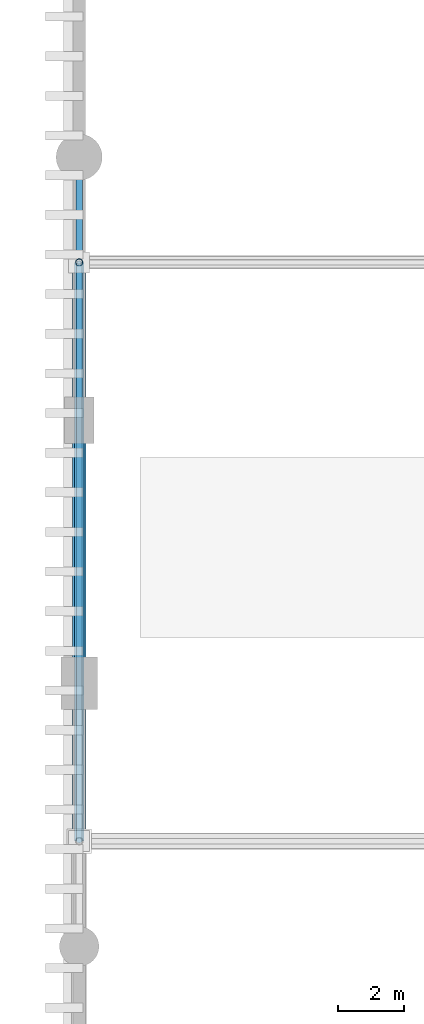
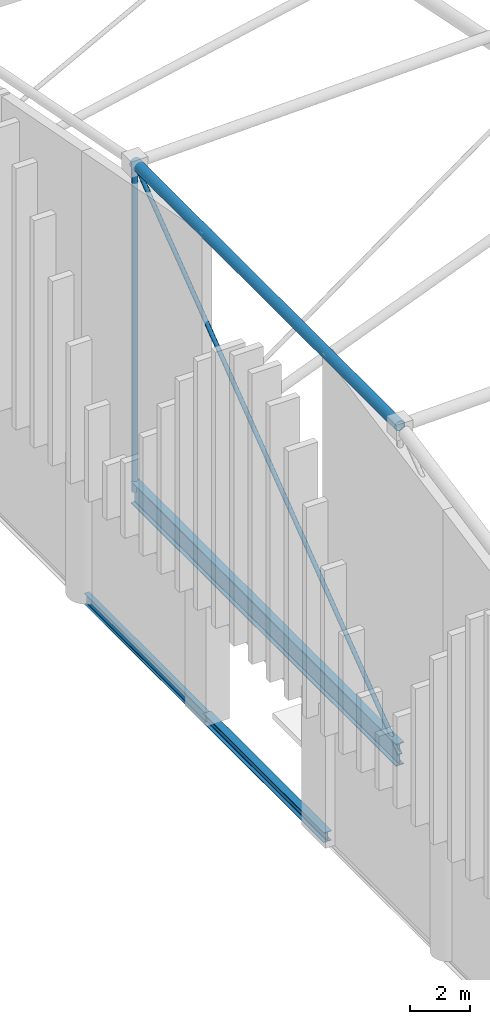
# One storey, part 55 of 193: 3 beams, 3 members.
"""IFC4 building model written with IfcOpenShell, lengths in metres."""

from ifc_helpers import new_model, si_unit, direction, frame, origin, origin_2d, place, context, subcontext, project, spatial, hollow_circle, i_section, extrude, material, material_profile, profile_set, type_object, element, save


model = new_model("IFC4")

# Units and contexts
model_context = context("Model", 3, precision=1e-05, world=origin(), true_north=direction((0.0, 1.0)))
body_context = subcontext(model_context, "Body", "Model", "MODEL_VIEW")
ifc_project = project(units=[si_unit("LENGTHUNIT", "METRE"), si_unit("AREAUNIT", "SQUARE_METRE"), si_unit("VOLUMEUNIT", "CUBIC_METRE"), si_unit("PLANEANGLEUNIT", "RADIAN"), si_unit("MASSUNIT", "GRAM", prefix="KILO")], contexts=[model_context])

# Site, building, storey
site_placement = place(None, origin())
site = spatial("IfcSite", under=ifc_project, at=site_placement, CompositionType="ELEMENT")
building_placement = place(site_placement, origin())
building = spatial("IfcBuilding", under=site, at=building_placement, Name="Danafjord Basin Convention Centre", CompositionType="ELEMENT")
storey_placement = place(building_placement, frame((0.0, 0.0, 11.39990234375)))
storey = spatial("IfcBuildingStorey", under=building, at=storey_placement, Name="L02", CompositionType="ELEMENT", Elevation=11.39990234375)

# Beams
ifc_material = material(Name="Steel S355", Category="steel")
ifc_material_profile_1 = material_profile(ifc_material, i_section(OverallWidth=0.300048828125, OverallDepth=0.89990234375, WebThickness=0.0185546875, FlangeThickness=0.034912109375, FilletRadius=0.030029296875, at=origin_2d()), Name="HEB 900")
ifc_profile_set_1 = profile_set([ifc_material_profile_1], Name="Steel S355")
beam_type_1 = type_object("IfcBeamType", Name="BEAM-BM-HEB900", PredefinedType="BEAM", material=ifc_profile_set_1)
beam_1_placement = place(storey_placement, frame((0.0, 91.199951171875, 6.050048828125), z_axis=(0.0, 1.0, 0.0), x_axis=(-1.0, 0.0, 0.0)))
element("IfcBeam", 1, at=beam_1_placement, inside=storey, type_object=beam_type_1, Name="V1 space-frame perimeter ring girder", PredefinedType="BEAM", context=body_context, shape_type="SweptSolid", body=[
    extrude(i_section(OverallWidth=0.300048828125, OverallDepth=0.89990234375, WebThickness=0.0185546875, FlangeThickness=0.034912109375, FilletRadius=0.030029296875, at=origin_2d()), origin(), (0.0, 0.0, 1.0), 17.60009765625),
])
ifc_material_profile_2 = material_profile(ifc_material, i_section(OverallWidth=0.300048828125, OverallDepth=0.39990234375, WebThickness=0.013427734375, FlangeThickness=0.02392578125, FilletRadius=0.027099609375, at=origin_2d()), Name="HEB 400")
ifc_profile_set_2 = profile_set([ifc_material_profile_2], Name="Steel S355")
beam_type_2 = type_object("IfcBeamType", Name="BEAM-SP-HEB400", PredefinedType="SPANDREL", material=ifc_profile_set_2)
beam_2_placement = place(storey_placement, frame((0.0, 96.0, -0.199951171875), z_axis=(0.0, 1.0, 0.0), x_axis=(-1.0, 0.0, 0.0)))
element("IfcBeam", 2, at=beam_2_placement, inside=storey, type_object=beam_type_2, Name="L02 transverse girder SP-HEB400", PredefinedType="SPANDREL", context=body_context, shape_type="SweptSolid", body=[
    extrude(i_section(OverallWidth=0.300048828125, OverallDepth=0.39990234375, WebThickness=0.013427734375, FlangeThickness=0.02392578125, FilletRadius=0.027099609375, at=origin_2d()), origin(), (0.0, 0.0, 1.0), 8.0),
])
ifc_material_profile_3 = material_profile(ifc_material, i_section(OverallWidth=0.18994140625, OverallDepth=0.449951171875, WebThickness=0.009521484375, FlangeThickness=0.0146484375, FilletRadius=0.02099609375, at=origin_2d()), Name="IPE 450")
ifc_profile_set_3 = profile_set([ifc_material_profile_3], Name="Steel S355")
beam_type_3 = type_object("IfcBeamType", Name="BEAM-SP-IPE450", PredefinedType="SPANDREL", material=ifc_profile_set_3)
beam_3_placement = place(storey_placement, frame((0.0, 104.0, -0.224853515625), z_axis=(0.0, 1.0, 0.0), x_axis=(-1.0, 0.0, 0.0)))
element("IfcBeam", 3, at=beam_3_placement, inside=storey, type_object=beam_type_3, Name="L02 transverse girder SP-IPE450", PredefinedType="SPANDREL", context=body_context, shape_type="SweptSolid", body=[
    extrude(i_section(OverallWidth=0.18994140625, OverallDepth=0.449951171875, WebThickness=0.009521484375, FlangeThickness=0.0146484375, FilletRadius=0.02099609375, at=origin_2d()), origin(), (0.0, 0.0, 1.0), 8.0),
])

# Members
ifc_material_profile_4 = material_profile(ifc_material, hollow_circle(Radius=0.203125, WallThickness=0.02001953125, at=origin_2d()), Name="CHS 406.4x20.0")
ifc_profile_set_4 = profile_set([ifc_material_profile_4], Name="Steel S355")
member_type_1 = type_object("IfcMemberType", Name="MEM-CH-CHS406", PredefinedType="CHORD", material=ifc_profile_set_4)
member_1_placement = place(storey_placement, frame((0.0, 91.199951171875, 19.360595703125), z_axis=(0.0, 1.0, 0.0), x_axis=(-1.0, 0.0, 0.0)))
element("IfcMember", 4, at=member_1_placement, inside=storey, type_object=member_type_1, Name="V1 roof truss transverse top chord", PredefinedType="CHORD", context=body_context, shape_type="SweptSolid", body=[
    extrude(hollow_circle(Radius=0.203125, WallThickness=0.02001953125, at=origin_2d()), origin(), (0.0, 0.0, 1.0), 17.60009765625),
])
ifc_material_profile_5 = material_profile(ifc_material, hollow_circle(Radius=0.109619140625, WallThickness=0.010009765625, at=origin_2d()), Name="CHS 219.1x10.0")
ifc_profile_set_5 = profile_set([ifc_material_profile_5], Name="Steel S355")
member_type_2 = type_object("IfcMemberType", Name="MEM-ST-CHS219", PredefinedType="STRUT", material=ifc_profile_set_5)
member_2_placement = place(storey_placement, frame((0.0, 108.800048828125, 6.050048828125), z_axis=(0.0, 0.0, 1.0), x_axis=(1.0, 0.0, 0.0)))
element("IfcMember", 5, at=member_2_placement, inside=storey, type_object=member_type_2, Name="V1 roof truss vertical strut", PredefinedType="STRUT", context=body_context, shape_type="SweptSolid", body=[
    extrude(hollow_circle(Radius=0.109619140625, WallThickness=0.010009765625, at=origin_2d()), origin(), (0.0, 0.0, 1.0), 13.310546875),
])
ifc_material_profile_6 = material_profile(ifc_material, hollow_circle(Radius=0.084228515625, WallThickness=0.008056640625, at=origin_2d()), Name="CHS 168.3x8.0")
ifc_profile_set_6 = profile_set([ifc_material_profile_6], Name="Steel S355")
member_type_3 = type_object("IfcMemberType", Name="MEM-WB-CHS168", PredefinedType="MEMBER", material=ifc_profile_set_6)
member_3_placement = place(storey_placement, frame((0.0, 91.199951171875, 6.050048828125), z_axis=(0.0, 0.797590522722, 0.603199268952), x_axis=(-1.0, 0.0, 0.0)))
element("IfcMember", 6, at=member_3_placement, inside=storey, type_object=member_type_3, Name="V1 space-frame transverse web", PredefinedType="MEMBER", context=body_context, shape_type="SweptSolid", body=[
    extrude(hollow_circle(Radius=0.084228515625, WallThickness=0.008056640625, at=origin_2d()), origin(), (0.0, 0.0, 1.0), 22.066650390625),
])

save(model, "model.ifc")
